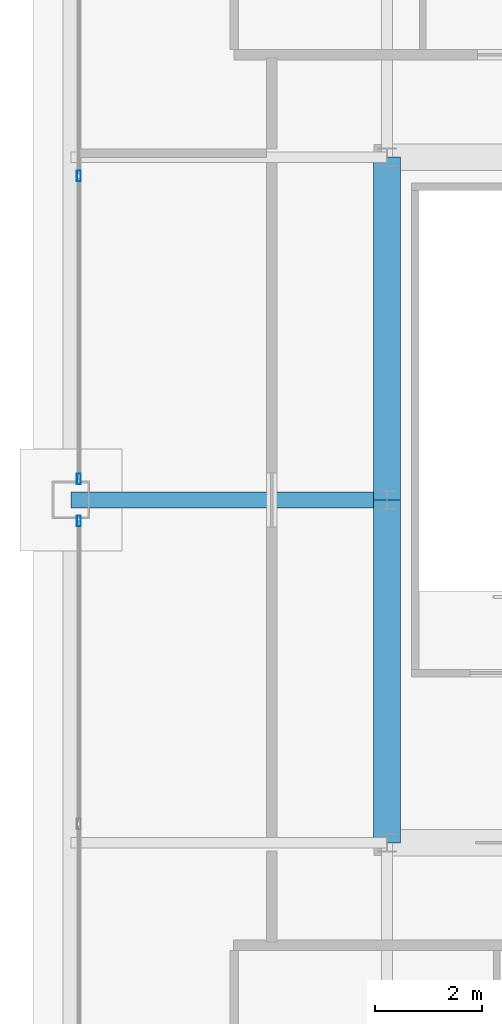
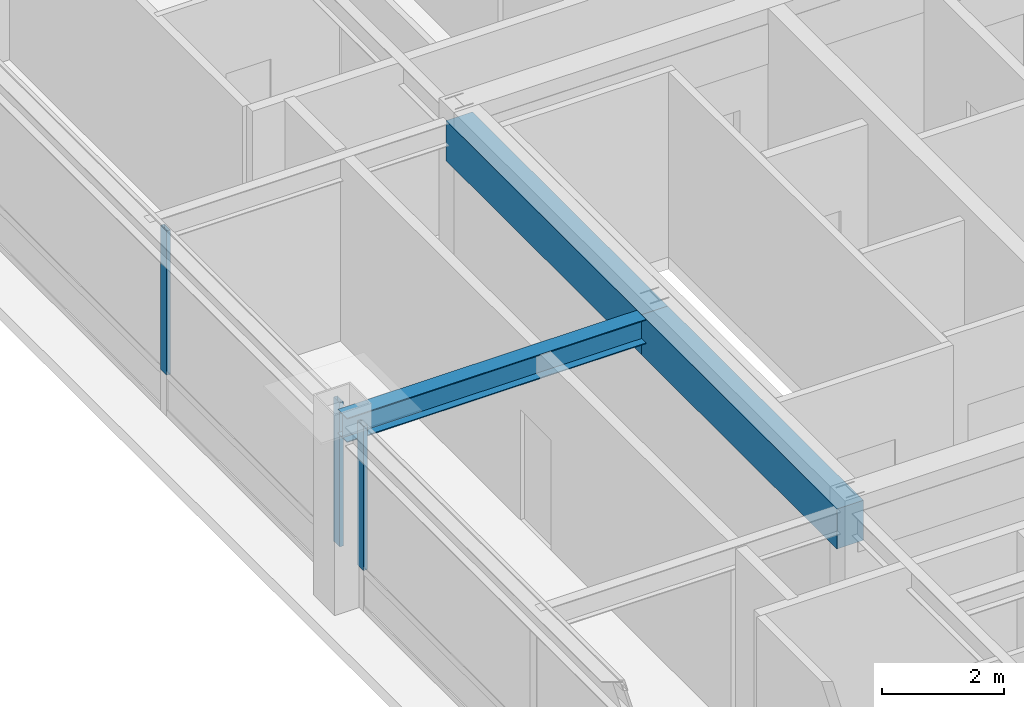
# One storey, part 11 of 34: 3 beams, 3 members, 2 elements without a shape of their own.
"""IFC4 building model written with IfcOpenShell, lengths in metres."""

from ifc_helpers import new_model, si_unit, direction, frame, origin, origin_2d, place, context, subcontext, project, spatial, rectangle, hollow_rectangle, i_section, extrude, source, transform, mapped, material, layer, layer_set, material_profile, profile_set, type_object, element, aggregate, save


model = new_model("IFC4")

# Units and contexts
model_context = context("Model", 3, precision=1e-05, world=origin(), true_north=direction((0.0, 1.0)))
body_context = subcontext(model_context, "Body", "Model", "MODEL_VIEW")
ifc_project = project(units=[si_unit("LENGTHUNIT", "METRE"), si_unit("AREAUNIT", "SQUARE_METRE"), si_unit("VOLUMEUNIT", "CUBIC_METRE"), si_unit("PLANEANGLEUNIT", "RADIAN"), si_unit("MASSUNIT", "GRAM", prefix="KILO"), si_unit("THERMODYNAMICTEMPERATUREUNIT", "KELVIN"), si_unit("POWERUNIT", "WATT")], contexts=[model_context])

# Site, building, storey
site_placement = place(None, origin())
site = spatial("IfcSite", under=ifc_project, at=site_placement, CompositionType="ELEMENT")
building_placement = place(site_placement, origin())
building = spatial("IfcBuilding", under=site, at=building_placement, Name="Yuzanri Waterfront Tower", CompositionType="ELEMENT")
storey_placement = place(building_placement, frame((0.0, 0.0, 347.199951171875)))
storey = spatial("IfcBuildingStorey", under=building, at=storey_placement, Name="L93", CompositionType="ELEMENT", Elevation=347.199951171875)

# Beams
ifc_material_1 = material(Name="Concrete C50", Category="concrete")
ifc_material_profile_1 = material_profile(ifc_material_1, rectangle(XDim=0.5, YDim=0.800048828125, at=origin_2d()), Name="RC 500x800")
ifc_profile_set_1 = profile_set([ifc_material_profile_1], Name="Concrete C50")
beam_type_1 = type_object("IfcBeamType", Name="Core Coupling Lintel Concrete C50 500x800", PredefinedType="LINTEL", material=ifc_profile_set_1)
shared_shape_1 = source(origin(), body_context, "Body", "SweptSolid", [
    extrude(rectangle(XDim=0.5, YDim=0.800048828125, at=origin_2d()), origin(), (0.0, 0.0, 1.0), 6.400146484375),
])
beam_1_placement = place(storey_placement, frame((23.800048828125, 19.39990234375, 3.300048828125), z_axis=(0.0, 1.0, 0.0), x_axis=(-1.0, 0.0, 0.0)))
element("IfcBeam", 1, at=beam_1_placement, inside=storey, type_object=beam_type_1, Name="L93 Core Tie Beam CW1", PredefinedType="LINTEL", context=body_context, shape_type="MappedRepresentation", body=[
    mapped(shared_shape_1, transform((0.0, 0.0, 0.0), scale=1.0)),
])
shared_shape_2 = source(origin(), body_context, "Body", "SweptSolid", [
    extrude(rectangle(XDim=0.5, YDim=0.800048828125, at=origin_2d()), origin(), (0.0, 0.0, 1.0), 6.39990234375),
])
beam_2_placement = place(storey_placement, frame((23.800048828125, 25.800048828125, 3.300048828125), z_axis=(0.0, 1.0, 0.0), x_axis=(-1.0, 0.0, 0.0)))
element("IfcBeam", 2, at=beam_2_placement, inside=storey, type_object=beam_type_1, Name="L93 Core Tie Beam CW2", PredefinedType="LINTEL", context=body_context, shape_type="MappedRepresentation", body=[
    mapped(shared_shape_2, transform((0.0, 0.0, 0.0), scale=1.0)),
])
ifc_material_2 = material(Name="Steel Q355B", Category="steel")
ifc_material_profile_2 = material_profile(ifc_material_2, i_section(OverallWidth=0.300048828125, OverallDepth=0.488037109375, WebThickness=0.010986328125, FlangeThickness=0.01806640625, at=origin_2d()), Name="HM 488x300x11x18")
ifc_profile_set_2 = profile_set([ifc_material_profile_2], Name="Steel Q355B")
beam_type_2 = type_object("IfcBeamType", Name="Primary Floor Girder Q355B HM 488x300", PredefinedType="BEAM", material=ifc_profile_set_2)
shared_shape_3 = source(origin(), body_context, "Body", "SweptSolid", [
    extrude(i_section(OverallWidth=0.300048828125, OverallDepth=0.488037109375, WebThickness=0.010986328125, FlangeThickness=0.01806640625, at=origin_2d()), origin(), (0.0, 0.0, 1.0), 5.900146484375),
])
beam_3_placement = place(storey_placement, frame((23.800048828125, 25.800048828125, 3.4560546875), z_axis=(-1.0, 0.0, 0.0), x_axis=(0.0, -1.0, 0.0)))
element("IfcBeam", 3, at=beam_3_placement, inside=storey, type_object=beam_type_2, Name="L93 West Grid Girder", PredefinedType="BEAM", context=body_context, shape_type="MappedRepresentation", body=[
    mapped(shared_shape_3, transform((0.0, 0.0, 0.0), scale=1.0)),
])

# Curtain wall, member
ifc_material_3 = material(Name="Anodized Architectural Bronze", Category="metal")
ifc_layer = layer(ifc_material_3, 0.159912109375)
ifc_layer_set = layer_set([ifc_layer], Name="Anodized Architectural Bronze")
curtain_wall_type = type_object("IfcCurtainWallType", Name="Anodized Bronze High-Rise Penthouse High-Wind Unitized Curtain Wall 6900", PredefinedType="NOTDEFINED", material=ifc_layer_set)
curtain_wall_1_placement = place(storey_placement, origin())
curtain_wall_1 = element("IfcCurtainWall", 4, at=curtain_wall_1_placement, inside=storey, type_object=curtain_wall_type, Name="L93 Curtain Wall CW-L93-WL", PredefinedType="NOTDEFINED")
ifc_material_4 = material(Name="Anodized Architectural Bronze", Category="metal")
ifc_material_profile_3 = material_profile(ifc_material_4, hollow_rectangle(XDim=0.074951171875, YDim=0.199951171875, WallThickness=0.00390625, at=origin_2d()), Name="CWM 75x200")
ifc_profile_set_3 = profile_set([ifc_material_profile_3], Name="Anodized Architectural Bronze")
member_type = type_object("IfcMemberType", Name="Anodized Bronze Primary Curtain-Wall Mullion 75x200", PredefinedType="MULLION", material=ifc_profile_set_3)
shared_shape_4 = source(origin(), body_context, "Body", "SweptSolid", [
    extrude(hollow_rectangle(XDim=0.074951171875, YDim=0.199951171875, WallThickness=0.00390625, at=origin_2d()), origin(), (0.0, 0.0, 1.0), 2.8779296875),
])
member_1_placement = place(storey_placement, frame((18.050048828125, 25.409912109375, 0.822021484375), z_axis=(0.0, 0.0, 1.0), x_axis=(1.0, 0.0, 0.0)))
member_1 = element("IfcMember", 5, at=member_1_placement, type_object=member_type, Name="CW-L93-WL Upper Mullion 02", PredefinedType="MULLION", context=body_context, shape_type="MappedRepresentation", body=[
    mapped(shared_shape_4, transform((0.0, 0.0, 0.0), scale=1.0)),
])
aggregate(curtain_wall_1, [member_1])

# Curtain wall, members
curtain_wall_2_placement = place(storey_placement, origin())
curtain_wall_2 = element("IfcCurtainWall", 6, at=curtain_wall_2_placement, inside=storey, type_object=curtain_wall_type, Name="L93 Curtain Wall CW-L93-WR", PredefinedType="NOTDEFINED")
member_2_placement = place(storey_placement, frame((18.050048828125, 26.18994140625, 0.822021484375), z_axis=(0.0, 0.0, 1.0), x_axis=(1.0, 0.0, 0.0)))
member_2 = element("IfcMember", 7, at=member_2_placement, type_object=member_type, Name="CW-L93-WR Upper Mullion 00", PredefinedType="MULLION", context=body_context, shape_type="MappedRepresentation", body=[
    mapped(shared_shape_4, transform((0.0, 0.0, 0.0), scale=1.0)),
])
member_3_placement = place(storey_placement, frame((18.050048828125, 31.85009765625, 0.822021484375), z_axis=(0.0, 0.0, 1.0), x_axis=(1.0, 0.0, 0.0)))
member_3 = element("IfcMember", 8, at=member_3_placement, type_object=member_type, Name="CW-L93-WR Upper Mullion 01", PredefinedType="MULLION", context=body_context, shape_type="MappedRepresentation", body=[
    mapped(shared_shape_4, transform((0.0, 0.0, 0.0), scale=1.0)),
])
aggregate(curtain_wall_2, [member_2, member_3])

save(model, "model.ifc")
